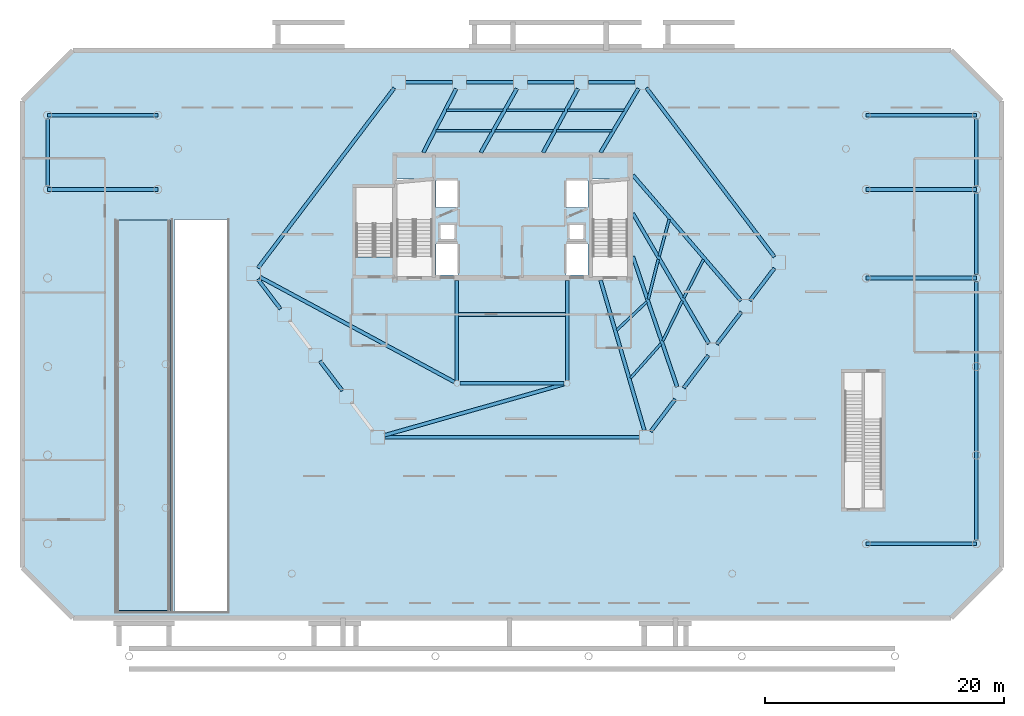
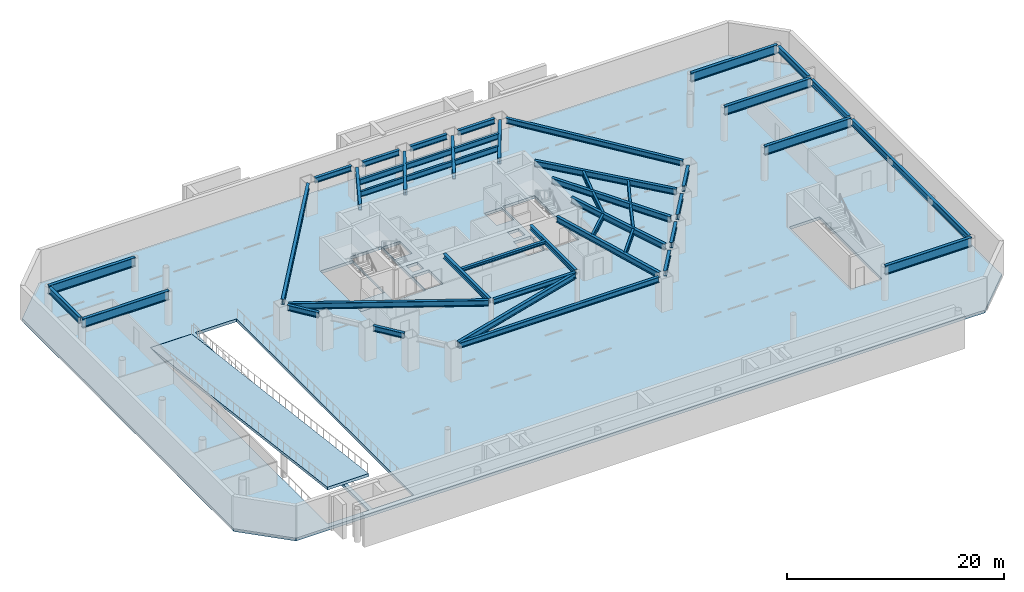
# One storey, part 5 of 15: 49 beams, 3 slabs.
"""IFC4 building model written with IfcOpenShell, lengths in metres."""

from ifc_helpers import new_model, si_unit, direction, frame, origin, origin_2d, place, context, subcontext, project, spatial, polyline, i_section, outline, extrude, material, layer, layer_set, material_profile, profile_set, type_object, element, save


model = new_model("IFC4")

# Units and contexts
model_context = context("Model", 3, precision=1e-05, world=origin(), true_north=direction((0.0, 1.0)))
body_context = subcontext(model_context, "Body", "Model", "MODEL_VIEW")
ifc_project = project(units=[si_unit("LENGTHUNIT", "METRE"), si_unit("AREAUNIT", "SQUARE_METRE"), si_unit("VOLUMEUNIT", "CUBIC_METRE"), si_unit("PLANEANGLEUNIT", "RADIAN"), si_unit("MASSUNIT", "GRAM", prefix="KILO")], contexts=[model_context])

# Site, building, storey
site_placement = place(None, origin())
site = spatial("IfcSite", under=ifc_project, at=site_placement, CompositionType="ELEMENT")
building_placement = place(site_placement, origin())
building = spatial("IfcBuilding", under=site, at=building_placement, Name="Zarrinselat Tower", CompositionType="ELEMENT")
storey_placement = place(building_placement, frame((0.0, 0.0, -4.080078125)))
storey = spatial("IfcBuildingStorey", under=building, at=storey_placement, Name="B01", CompositionType="ELEMENT", Elevation=-4.080078125)

# Beams
ifc_material_1 = material(Name="Steel S355J2", Category="steel")
ifc_material_profile_1 = material_profile(ifc_material_1, i_section(OverallWidth=0.300048828125, OverallDepth=0.35009765625, WebThickness=0.010009765625, FlangeThickness=0.017578125, at=origin_2d()), Name="HEA 360")
ifc_profile_set_1 = profile_set([ifc_material_profile_1], Name="Steel S355J2")
beam_type_1 = type_object("IfcBeamType", Name="BM-HEA360", PredefinedType="LINTEL", material=ifc_profile_set_1)
beam_1_placement = place(storey_placement, frame((33.93994140625, 30.14990234375, 3.5849609375), z_axis=(1.0, 0.0, 0.0), x_axis=(0.0, 1.0, 0.0)))
element("IfcBeam", 1, at=beam_1_placement, inside=storey, type_object=beam_type_1, Name="B01 Lift Lobby Ceiling Beam", PredefinedType="LINTEL", context=body_context, shape_type="SweptSolid", body=[
    extrude(i_section(OverallWidth=0.300048828125, OverallDepth=0.35009765625, WebThickness=0.010009765625, FlangeThickness=0.017578125, at=origin_2d()), origin(), (0.0, 0.0, 1.0), 8.920166015625),
])
ifc_material_2 = material(Name="Steel S355J2", Category="steel")
ifc_material_profile_2 = material_profile(ifc_material_2, i_section(OverallWidth=0.300048828125, OverallDepth=0.550048828125, WebThickness=0.014892578125, FlangeThickness=0.029052734375, at=origin_2d()), Name="HEB 550")
ifc_profile_set_2 = profile_set([ifc_material_profile_2], Name="Steel S355J2")
beam_type_2 = type_object("IfcBeamType", Name="BM-HEB550", PredefinedType="BEAM", material=ifc_profile_set_2)
beam_2_placement = place(storey_placement, frame((34.0400390625, 24.39990234375, 3.485107421875), z_axis=(1.0, 0.0, 0.0), x_axis=(0.0, 1.0, 0.0)))
element("IfcBeam", 2, at=beam_2_placement, inside=storey, type_object=beam_type_2, Name="B01 Atrium Edge Beam S", PredefinedType="BEAM", context=body_context, shape_type="SweptSolid", body=[
    extrude(i_section(OverallWidth=0.300048828125, OverallDepth=0.550048828125, WebThickness=0.014892578125, FlangeThickness=0.029052734375, at=origin_2d()), origin(), (0.0, 0.0, 1.0), 8.719970703125),
])
for number, where, z_axis, x_axis, name in (
    (3, (33.800048828125, 24.639892578125, 3.485107421875), (0.0, 1.0, 0.0), (-1.0, 0.0, 0.0), "B01 Atrium Edge Beam W"),
    (4, (43.0, 24.639892578125, 3.485107421875), (0.0, 1.0, 0.0), (-1.0, 0.0, 0.0), "B01 Atrium Edge Beam E"),
):
    element("IfcBeam", number, at=place(storey_placement, frame(where, z_axis=z_axis, x_axis=x_axis)), inside=storey, type_object=beam_type_2, Name=name, PredefinedType="BEAM", context=body_context, shape_type="SweptSolid", body=[
        extrude(i_section(OverallWidth=0.300048828125, OverallDepth=0.550048828125, WebThickness=0.014892578125, FlangeThickness=0.029052734375, at=origin_2d()), origin(), (0.0, 0.0, 1.0), 8.3701171875),
    ])
ifc_material_3 = material(Name="Steel S355J2", Category="steel")
ifc_material_profile_3 = material_profile(ifc_material_3, i_section(OverallWidth=0.300048828125, OverallDepth=0.60009765625, WebThickness=0.015380859375, FlangeThickness=0.030029296875, at=origin_2d()), Name="HEB 600")
ifc_profile_set_3 = profile_set([ifc_material_profile_3], Name="Steel S355J2")
beam_type_3 = type_object("IfcBeamType", Name="BM-HEB600", PredefinedType="BEAM", material=ifc_profile_set_3)
beam_3_placement = place(storey_placement, frame((44.776611328125, 49.550048828125, 3.4599609375), z_axis=(1.0, 0.0, 0.0), x_axis=(0.0, 1.0, 0.0)))
element("IfcBeam", 5, at=beam_3_placement, inside=storey, type_object=beam_type_3, Name="B01 Perimeter Spandrel Girder SP01", PredefinedType="BEAM", context=body_context, shape_type="SweptSolid", body=[
    extrude(i_section(OverallWidth=0.300048828125, OverallDepth=0.60009765625, WebThickness=0.015380859375, FlangeThickness=0.030029296875, at=origin_2d()), origin(), (0.0, 0.0, 1.0), 3.912353515625),
])
beam_4_placement = place(storey_placement, frame((39.68798828125, 49.550048828125, 3.4599609375), z_axis=(1.0, 0.0, 0.0), x_axis=(0.0, 1.0, 0.0)))
element("IfcBeam", 6, at=beam_4_placement, inside=storey, type_object=beam_type_3, Name="B01 Perimeter Spandrel Girder SP02", PredefinedType="BEAM", context=body_context, shape_type="SweptSolid", body=[
    extrude(i_section(OverallWidth=0.300048828125, OverallDepth=0.60009765625, WebThickness=0.015380859375, FlangeThickness=0.030029296875, at=origin_2d()), origin(), (0.0, 0.0, 1.0), 3.91259765625),
])
beam_5_placement = place(storey_placement, frame((34.599609375, 49.550048828125, 3.4599609375), z_axis=(1.0, 0.0, 0.0), x_axis=(0.0, 1.0, 0.0)))
element("IfcBeam", 7, at=beam_5_placement, inside=storey, type_object=beam_type_3, Name="B01 Perimeter Spandrel Girder SP03", PredefinedType="BEAM", context=body_context, shape_type="SweptSolid", body=[
    extrude(i_section(OverallWidth=0.300048828125, OverallDepth=0.60009765625, WebThickness=0.015380859375, FlangeThickness=0.030029296875, at=origin_2d()), origin(), (0.0, 0.0, 1.0), 3.912353515625),
])
beam_6_placement = place(storey_placement, frame((29.510986328125, 49.550048828125, 3.4599609375), z_axis=(1.0, 0.0, 0.0), x_axis=(0.0, 1.0, 0.0)))
element("IfcBeam", 8, at=beam_6_placement, inside=storey, type_object=beam_type_3, Name="B01 Perimeter Spandrel Girder SP04", PredefinedType="BEAM", context=body_context, shape_type="SweptSolid", body=[
    extrude(i_section(OverallWidth=0.300048828125, OverallDepth=0.60009765625, WebThickness=0.015380859375, FlangeThickness=0.030029296875, at=origin_2d()), origin(), (0.0, 0.0, 1.0), 3.91259765625),
])
beam_7_placement = place(storey_placement, frame((17.170654296875, 34.03662109375, 3.4599609375), z_axis=(0.603848722447, 0.797098940157, 0.0), x_axis=(-0.797098940157, 0.603848722447, 0.0)))
element("IfcBeam", 9, at=beam_7_placement, inside=storey, type_object=beam_type_3, Name="B01 Perimeter Spandrel Girder SP05", PredefinedType="BEAM", context=body_context, shape_type="SweptSolid", body=[
    extrude(i_section(OverallWidth=0.300048828125, OverallDepth=0.60009765625, WebThickness=0.015380859375, FlangeThickness=0.030029296875, at=origin_2d()), origin(), (0.0, 0.0, 1.0), 18.874267578125),
])
beam_8_placement = place(storey_placement, frame((17.170654296875, 33.099365234375, 3.4599609375), z_axis=(0.603821437922, -0.797119609033, 0.0), x_axis=(0.797119609033, 0.603821437922, 0.0)))
element("IfcBeam", 10, at=beam_8_placement, inside=storey, type_object=beam_type_3, Name="B01 Perimeter Spandrel Girder SP06", PredefinedType="BEAM", context=body_context, shape_type="SweptSolid", body=[
    extrude(i_section(OverallWidth=0.300048828125, OverallDepth=0.60009765625, WebThickness=0.015380859375, FlangeThickness=0.030029296875, at=origin_2d()), origin(), (0.0, 0.0, 1.0), 3.112060546875),
])
beam_9_placement = place(storey_placement, frame((22.349365234375, 26.26318359375, 3.4599609375), z_axis=(0.603859198483, -0.797091003843, 0.0), x_axis=(0.797091003843, 0.603859198483, 0.0)))
element("IfcBeam", 11, at=beam_9_placement, inside=storey, type_object=beam_type_3, Name="B01 Perimeter Spandrel Girder SP08", PredefinedType="BEAM", context=body_context, shape_type="SweptSolid", body=[
    extrude(i_section(OverallWidth=0.300048828125, OverallDepth=0.60009765625, WebThickness=0.015380859375, FlangeThickness=0.030029296875, at=origin_2d()), origin(), (0.0, 0.0, 1.0), 3.11181640625),
])
beam_10_placement = place(storey_placement, frame((27.760986328125, 19.89599609375, 3.4599609375), z_axis=(1.0, 0.0, 0.0), x_axis=(0.0, 1.0, 0.0)))
element("IfcBeam", 12, at=beam_10_placement, inside=storey, type_object=beam_type_3, Name="B01 Perimeter Spandrel Girder SP10", PredefinedType="BEAM", context=body_context, shape_type="SweptSolid", body=[
    extrude(i_section(OverallWidth=0.300048828125, OverallDepth=0.60009765625, WebThickness=0.015380859375, FlangeThickness=0.030029296875, at=origin_2d()), origin(), (0.0, 0.0, 1.0), 21.278076171875),
])
for number, where, z_axis, x_axis, name in (
    (13, (49.982177734375, 20.36474609375, 3.4599609375), (0.603839725389, 0.797105755871, 0.0), (-0.797105755871, 0.603839725389, 0.0), "B01 Perimeter Spandrel Girder SP11"),
    (14, (52.74658203125, 24.013671875, 3.4599609375), (0.603794123872, 0.797140298804, 0.0), (-0.797140298804, 0.603794123872, 0.0), "B01 Perimeter Spandrel Girder SP12"),
    (15, (55.5107421875, 27.66259765625, 3.4599609375), (0.603839725389, 0.797105755871, 0.0), (-0.797105755871, 0.603839725389, 0.0), "B01 Perimeter Spandrel Girder SP13"),
):
    element("IfcBeam", number, at=place(storey_placement, frame(where, z_axis=z_axis, x_axis=x_axis)), inside=storey, type_object=beam_type_3, Name=name, PredefinedType="BEAM", context=body_context, shape_type="SweptSolid", body=[
        extrude(i_section(OverallWidth=0.300048828125, OverallDepth=0.60009765625, WebThickness=0.015380859375, FlangeThickness=0.030029296875, at=origin_2d()), origin(), (0.0, 0.0, 1.0), 3.40185546875),
    ])
beam_11_placement = place(storey_placement, frame((58.275146484375, 31.311767578125, 3.4599609375), z_axis=(0.603874269539, 0.797079586107, 0.0), x_axis=(-0.797079586107, 0.603874269539, 0.0)))
element("IfcBeam", 16, at=beam_11_placement, inside=storey, type_object=beam_type_3, Name="B01 Perimeter Spandrel Girder SP14", PredefinedType="BEAM", context=body_context, shape_type="SweptSolid", body=[
    extrude(i_section(OverallWidth=0.300048828125, OverallDepth=0.60009765625, WebThickness=0.015380859375, FlangeThickness=0.030029296875, at=origin_2d()), origin(), (0.0, 0.0, 1.0), 3.401611328125),
])
beam_12_placement = place(storey_placement, frame((49.632080078125, 49.081298828125, 3.4599609375), z_axis=(0.603851850525, -0.797096570446, 0.0), x_axis=(0.797096570446, 0.603851850525, 0.0)))
element("IfcBeam", 17, at=beam_12_placement, inside=storey, type_object=beam_type_3, Name="B01 Perimeter Spandrel Girder SP15", PredefinedType="BEAM", context=body_context, shape_type="SweptSolid", body=[
    extrude(i_section(OverallWidth=0.300048828125, OverallDepth=0.60009765625, WebThickness=0.015380859375, FlangeThickness=0.030029296875, at=origin_2d()), origin(), (0.0, 0.0, 1.0), 17.715087890625),
])
ifc_material_4 = material(Name="Steel S355J2", Category="steel")
ifc_material_profile_4 = material_profile(ifc_material_4, i_section(OverallWidth=0.300048828125, OverallDepth=0.64990234375, WebThickness=0.01611328125, FlangeThickness=0.031005859375, at=origin_2d()), Name="HEB 650")
ifc_profile_set_4 = profile_set([ifc_material_profile_4], Name="Steel S355J2")
beam_type_4 = type_object("IfcBeamType", Name="BM-HEB650", PredefinedType="BEAM", material=ifc_profile_set_4)
beam_13_placement = place(storey_placement, frame((45.800048828125, 43.68994140625, 3.43505859375), z_axis=(0.510264490313, 0.860017528848, 0.0), x_axis=(-0.860017528848, 0.510264490313, 0.0)))
element("IfcBeam", 18, at=beam_13_placement, inside=storey, type_object=beam_type_4, Name="B01 Radial Primary Girder RG01", PredefinedType="BEAM", context=body_context, shape_type="SweptSolid", body=[
    extrude(i_section(OverallWidth=0.300048828125, OverallDepth=0.64990234375, WebThickness=0.01611328125, FlangeThickness=0.031005859375, at=origin_2d()), origin(), (0.0, 0.0, 1.0), 6.2119140625),
])
beam_14_placement = place(storey_placement, frame((41.0, 43.68994140625, 3.43505859375), z_axis=(0.477950024599, 0.878387029723, 0.0), x_axis=(-0.878387029723, 0.477950024599, 0.0)))
element("IfcBeam", 19, at=beam_14_placement, inside=storey, type_object=beam_type_4, Name="B01 Radial Primary Girder RG02", PredefinedType="BEAM", context=body_context, shape_type="SweptSolid", body=[
    extrude(i_section(OverallWidth=0.300048828125, OverallDepth=0.64990234375, WebThickness=0.01611328125, FlangeThickness=0.031005859375, at=origin_2d()), origin(), (0.0, 0.0, 1.0), 6.0693359375),
])
beam_15_placement = place(storey_placement, frame((35.800048828125, 43.68994140625, 3.43505859375), z_axis=(0.490688992251, 0.87133478806, 0.0), x_axis=(-0.87133478806, 0.490688992251, 0.0)))
element("IfcBeam", 20, at=beam_15_placement, inside=storey, type_object=beam_type_4, Name="B01 Radial Primary Girder RG03", PredefinedType="BEAM", context=body_context, shape_type="SweptSolid", body=[
    extrude(i_section(OverallWidth=0.300048828125, OverallDepth=0.64990234375, WebThickness=0.01611328125, FlangeThickness=0.031005859375, at=origin_2d()), origin(), (0.0, 0.0, 1.0), 6.123291015625),
])
beam_16_placement = place(storey_placement, frame((31.0, 43.68994140625, 3.43505859375), z_axis=(0.457071554936, 0.889429926227, 0.0), x_axis=(-0.889429926227, 0.457071554936, 0.0)))
element("IfcBeam", 21, at=beam_16_placement, inside=storey, type_object=beam_type_4, Name="B01 Radial Primary Girder RG04", PredefinedType="BEAM", context=body_context, shape_type="SweptSolid", body=[
    extrude(i_section(OverallWidth=0.300048828125, OverallDepth=0.64990234375, WebThickness=0.01611328125, FlangeThickness=0.031005859375, at=origin_2d()), origin(), (0.0, 0.0, 1.0), 5.986572265625),
])
beam_17_placement = place(storey_placement, frame((17.34521484375, 33.281982421875, 3.43505859375), z_axis=(0.879987931642, -0.474996042262, 0.0), x_axis=(0.474996042262, 0.879987931642, 0.0)))
element("IfcBeam", 22, at=beam_17_placement, inside=storey, type_object=beam_type_4, Name="B01 Radial Primary Girder RG06", PredefinedType="BEAM", context=body_context, shape_type="SweptSolid", body=[
    extrude(i_section(OverallWidth=0.300048828125, OverallDepth=0.64990234375, WebThickness=0.01611328125, FlangeThickness=0.031005859375, at=origin_2d()), origin(), (0.0, 0.0, 1.0), 18.448974609375),
])
beam_18_placement = place(storey_placement, frame((27.751953125, 20.060791015625, 3.43505859375), z_axis=(0.961813317546, 0.273706306451, 0.0), x_axis=(-0.273706306451, 0.961813317546, 0.0)))
element("IfcBeam", 23, at=beam_18_placement, inside=storey, type_object=beam_type_4, Name="B01 Radial Primary Girder RG10", PredefinedType="BEAM", context=body_context, shape_type="SweptSolid", body=[
    extrude(i_section(OverallWidth=0.300048828125, OverallDepth=0.64990234375, WebThickness=0.01611328125, FlangeThickness=0.031005859375, at=origin_2d()), origin(), (0.0, 0.0, 1.0), 15.603515625),
])
beam_19_placement = place(storey_placement, frame((45.800048828125, 33.010009765625, 3.43505859375), z_axis=(0.280146446872, -0.959957274208, 0.0), x_axis=(0.959957274208, 0.280146446872, 0.0)))
element("IfcBeam", 24, at=beam_19_placement, inside=storey, type_object=beam_type_4, Name="B01 Radial Primary Girder RG11", PredefinedType="BEAM", context=body_context, shape_type="SweptSolid", body=[
    extrude(i_section(OverallWidth=0.300048828125, OverallDepth=0.64990234375, WebThickness=0.01611328125, FlangeThickness=0.031005859375, at=origin_2d()), origin(), (0.0, 0.0, 1.0), 13.05908203125),
])
beam_20_placement = place(storey_placement, frame((48.5, 35.0, 3.43505859375), z_axis=(0.321657151758, -0.946856206994, 0.0), x_axis=(0.946856206994, 0.321657151758, 0.0)))
element("IfcBeam", 25, at=beam_20_placement, inside=storey, type_object=beam_type_4, Name="B01 Radial Primary Girder RG12", PredefinedType="BEAM", context=body_context, shape_type="SweptSolid", body=[
    extrude(i_section(OverallWidth=0.300048828125, OverallDepth=0.64990234375, WebThickness=0.01611328125, FlangeThickness=0.031005859375, at=origin_2d()), origin(), (0.0, 0.0, 1.0), 11.495849609375),
])
beam_21_placement = place(storey_placement, frame((48.5, 38.60009765625, 3.43505859375), z_axis=(0.50399747949, -0.863705123678, 0.0), x_axis=(0.863705123678, 0.50399747949, 0.0)))
element("IfcBeam", 26, at=beam_21_placement, inside=storey, type_object=beam_type_4, Name="B01 Radial Primary Girder RG13", PredefinedType="BEAM", context=body_context, shape_type="SweptSolid", body=[
    extrude(i_section(OverallWidth=0.300048828125, OverallDepth=0.64990234375, WebThickness=0.01611328125, FlangeThickness=0.031005859375, at=origin_2d()), origin(), (0.0, 0.0, 1.0), 12.603759765625),
])
beam_22_placement = place(storey_placement, frame((48.5, 41.800048828125, 3.43505859375), z_axis=(0.651921697531, -0.758286291771, 0.0), x_axis=(0.758286291771, 0.651921697531, 0.0)))
element("IfcBeam", 27, at=beam_22_placement, inside=storey, type_object=beam_type_4, Name="B01 Radial Primary Girder RG14", PredefinedType="BEAM", context=body_context, shape_type="SweptSolid", body=[
    extrude(i_section(OverallWidth=0.300048828125, OverallDepth=0.64990234375, WebThickness=0.01611328125, FlangeThickness=0.031005859375, at=origin_2d()), origin(), (0.0, 0.0, 1.0), 13.84765625),
])
ifc_material_5 = material(Name="Steel S355J2", Category="steel")
ifc_material_profile_5 = material_profile(ifc_material_5, i_section(OverallWidth=0.300048828125, OverallDepth=0.699951171875, WebThickness=0.01708984375, FlangeThickness=0.031982421875, at=origin_2d()), Name="HEB 700")
ifc_profile_set_5 = profile_set([ifc_material_profile_5], Name="Steel S355J2")
beam_type_5 = type_object("IfcBeamType", Name="BM-HEB700", PredefinedType="SPANDREL", material=ifc_profile_set_5)
beam_23_placement = place(storey_placement, frame((-0.39990234375, 40.89990234375, 3.41015625), z_axis=(0.0, 1.0, 0.0), x_axis=(-1.0, 0.0, 0.0)))
element("IfcBeam", 28, at=beam_23_placement, inside=storey, type_object=beam_type_5, Name="B01 Podium Perimeter Beam W-40", PredefinedType="SPANDREL", context=body_context, shape_type="SweptSolid", body=[
    extrude(i_section(OverallWidth=0.300048828125, OverallDepth=0.699951171875, WebThickness=0.01708984375, FlangeThickness=0.031982421875, at=origin_2d()), origin(), (0.0, 0.0, 1.0), 5.60009765625),
])
beam_24_placement = place(storey_placement, frame((77.199951171875, 11.300048828125, 3.41015625), z_axis=(0.0, 1.0, 0.0), x_axis=(-1.0, 0.0, 0.0)))
element("IfcBeam", 29, at=beam_24_placement, inside=storey, type_object=beam_type_5, Name="B01 Podium Perimeter Beam E-11", PredefinedType="SPANDREL", context=body_context, shape_type="SweptSolid", body=[
    extrude(i_section(OverallWidth=0.300048828125, OverallDepth=0.699951171875, WebThickness=0.01708984375, FlangeThickness=0.031982421875, at=origin_2d()), origin(), (0.0, 0.0, 1.0), 21.599853515625),
])
beam_25_placement = place(storey_placement, frame((77.199951171875, 33.5, 3.41015625), z_axis=(0.0, 1.0, 0.0), x_axis=(-1.0, 0.0, 0.0)))
element("IfcBeam", 30, at=beam_25_placement, inside=storey, type_object=beam_type_5, Name="B01 Podium Perimeter Beam E-33", PredefinedType="SPANDREL", context=body_context, shape_type="SweptSolid", body=[
    extrude(i_section(OverallWidth=0.300048828125, OverallDepth=0.699951171875, WebThickness=0.01708984375, FlangeThickness=0.031982421875, at=origin_2d()), origin(), (0.0, 0.0, 1.0), 6.800048828125),
])
beam_26_placement = place(storey_placement, frame((77.199951171875, 40.89990234375, 3.41015625), z_axis=(0.0, 1.0, 0.0), x_axis=(-1.0, 0.0, 0.0)))
element("IfcBeam", 31, at=beam_26_placement, inside=storey, type_object=beam_type_5, Name="B01 Podium Perimeter Beam E-40", PredefinedType="SPANDREL", context=body_context, shape_type="SweptSolid", body=[
    extrude(i_section(OverallWidth=0.300048828125, OverallDepth=0.699951171875, WebThickness=0.01708984375, FlangeThickness=0.031982421875, at=origin_2d()), origin(), (0.0, 0.0, 1.0), 5.60009765625),
])
ifc_material_6 = material(Name="Steel S355J2", Category="steel")
ifc_material_profile_6 = material_profile(ifc_material_6, i_section(OverallWidth=0.219970703125, OverallDepth=0.60009765625, WebThickness=0.011962890625, FlangeThickness=0.01904296875, at=origin_2d()), Name="IPE 600")
ifc_profile_set_6 = profile_set([ifc_material_profile_6], Name="Steel S355J2")
beam_type_6 = type_object("IfcBeamType", Name="BM-IPE600", PredefinedType="JOIST", material=ifc_profile_set_6)
beam_27_placement = place(storey_placement, frame((48.307373046875, 24.841064453125, 3.4599609375), z_axis=(0.662804736598, 0.748792281707, 0.0), x_axis=(-0.748792281707, 0.662804736598, 0.0)))
element("IfcBeam", 32, at=beam_27_placement, inside=storey, type_object=beam_type_6, Name="B01 Composite Floor Joist 3-1", PredefinedType="JOIST", context=body_context, shape_type="SweptSolid", body=[
    extrude(i_section(OverallWidth=0.219970703125, OverallDepth=0.60009765625, WebThickness=0.011962890625, FlangeThickness=0.01904296875, at=origin_2d()), origin(), (0.0, 0.0, 1.0), 3.8330078125),
])
beam_28_placement = place(storey_placement, frame((47.145751953125, 28.843505859375, 3.4599609375), z_axis=(0.728530747555, 0.685013101967, 0.0), x_axis=(-0.685013101967, 0.728530747555, 0.0)))
element("IfcBeam", 33, at=beam_28_placement, inside=storey, type_object=beam_type_6, Name="B01 Composite Floor Joist 3-2", PredefinedType="JOIST", context=body_context, shape_type="SweptSolid", body=[
    extrude(i_section(OverallWidth=0.219970703125, OverallDepth=0.60009765625, WebThickness=0.011962890625, FlangeThickness=0.01904296875, at=origin_2d()), origin(), (0.0, 0.0, 1.0), 3.444580078125),
])
beam_29_placement = place(storey_placement, frame((51.001708984375, 27.94189453125, 3.4599609375), z_axis=(0.437666353615, 0.899137454961, 0.0), x_axis=(-0.899137454961, 0.437666353615, 0.0)))
element("IfcBeam", 34, at=beam_29_placement, inside=storey, type_object=beam_type_6, Name="B01 Composite Floor Joist 4-1", PredefinedType="JOIST", context=body_context, shape_type="SweptSolid", body=[
    extrude(i_section(OverallWidth=0.219970703125, OverallDepth=0.60009765625, WebThickness=0.011962890625, FlangeThickness=0.01904296875, at=origin_2d()), origin(), (0.0, 0.0, 1.0), 3.722900390625),
])
beam_30_placement = place(storey_placement, frame((49.791259765625, 31.434814453125, 3.4599609375), z_axis=(0.243205254387, 0.96997484722, 0.0), x_axis=(-0.96997484722, 0.243205254387, 0.0)))
element("IfcBeam", 35, at=beam_30_placement, inside=storey, type_object=beam_type_6, Name="B01 Composite Floor Joist 4-2", PredefinedType="JOIST", context=body_context, shape_type="SweptSolid", body=[
    extrude(i_section(OverallWidth=0.219970703125, OverallDepth=0.60009765625, WebThickness=0.011962890625, FlangeThickness=0.01904296875, at=origin_2d()), origin(), (0.0, 0.0, 1.0), 3.43115234375),
])
beam_31_placement = place(storey_placement, frame((52.756103515625, 31.539794921875, 3.4599609375), z_axis=(0.455144518373, 0.890417580349, 0.0), x_axis=(-0.890417580349, 0.455144518373, 0.0)))
element("IfcBeam", 36, at=beam_31_placement, inside=storey, type_object=beam_type_6, Name="B01 Composite Floor Joist 5-1", PredefinedType="JOIST", context=body_context, shape_type="SweptSolid", body=[
    extrude(i_section(OverallWidth=0.219970703125, OverallDepth=0.60009765625, WebThickness=0.011962890625, FlangeThickness=0.01904296875, at=origin_2d()), origin(), (0.0, 0.0, 1.0), 3.599853515625),
])
beam_32_placement = place(storey_placement, frame((50.69677734375, 35.03369140625, 3.4599609375), z_axis=(0.26337130416, 0.964694540331, 0.0), x_axis=(-0.964694540331, 0.26337130416, 0.0)))
element("IfcBeam", 37, at=beam_32_placement, inside=storey, type_object=beam_type_6, Name="B01 Composite Floor Joist 5-2", PredefinedType="JOIST", context=body_context, shape_type="SweptSolid", body=[
    extrude(i_section(OverallWidth=0.219970703125, OverallDepth=0.60009765625, WebThickness=0.011962890625, FlangeThickness=0.01904296875, at=origin_2d()), origin(), (0.0, 0.0, 1.0), 3.173095703125),
])
beam_33_placement = place(storey_placement, frame((43.054443359375, 47.208740234375, 3.4599609375), z_axis=(0.999998864297, 0.00150711813, 0.0), x_axis=(-0.00150711813, 0.999998864297, 0.0)))
element("IfcBeam", 38, at=beam_33_placement, inside=storey, type_object=beam_type_6, Name="B01 Composite Floor Joist 7-1", PredefinedType="JOIST", context=body_context, shape_type="SweptSolid", body=[
    extrude(i_section(OverallWidth=0.219970703125, OverallDepth=0.60009765625, WebThickness=0.011962890625, FlangeThickness=0.01904296875, at=origin_2d()), origin(), (0.0, 0.0, 1.0), 4.69775390625),
])
beam_34_placement = place(storey_placement, frame((42.126220703125, 45.502685546875, 3.4599609375), z_axis=(0.999999684692, 0.000794112725, 0.0), x_axis=(-0.000794112725, 0.999999684692, 0.0)))
element("IfcBeam", 39, at=beam_34_placement, inside=storey, type_object=beam_type_6, Name="B01 Composite Floor Joist 7-2", PredefinedType="JOIST", context=body_context, shape_type="SweptSolid", body=[
    extrude(i_section(OverallWidth=0.219970703125, OverallDepth=0.60009765625, WebThickness=0.011962890625, FlangeThickness=0.01904296875, at=origin_2d()), origin(), (0.0, 0.0, 1.0), 4.611572265625),
])
beam_35_placement = place(storey_placement, frame((37.923095703125, 47.21142578125, 3.4599609375), z_axis=(0.99999984678, -0.000553570445, 0.0), x_axis=(0.000553570445, 0.99999984678, 0.0)))
element("IfcBeam", 40, at=beam_35_placement, inside=storey, type_object=beam_type_6, Name="B01 Composite Floor Joist 8-1", PredefinedType="JOIST", context=body_context, shape_type="SweptSolid", body=[
    extrude(i_section(OverallWidth=0.219970703125, OverallDepth=0.60009765625, WebThickness=0.011962890625, FlangeThickness=0.01904296875, at=origin_2d()), origin(), (0.0, 0.0, 1.0), 4.851318359375),
])
beam_36_placement = place(storey_placement, frame((36.961669921875, 45.50390625, 3.4599609375), z_axis=(0.999999968772, -0.000249912523, 0.0), x_axis=(0.000249912523, 0.999999968772, 0.0)))
element("IfcBeam", 41, at=beam_36_placement, inside=storey, type_object=beam_type_6, Name="B01 Composite Floor Joist 8-2", PredefinedType="JOIST", context=body_context, shape_type="SweptSolid", body=[
    extrude(i_section(OverallWidth=0.219970703125, OverallDepth=0.60009765625, WebThickness=0.011962890625, FlangeThickness=0.01904296875, at=origin_2d()), origin(), (0.0, 0.0, 1.0), 4.884521484375),
])
beam_37_placement = place(storey_placement, frame((32.946044921875, 47.204345703125, 3.4599609375), z_axis=(0.99999894094, 0.001455375557, 0.0), x_axis=(-0.001455375557, 0.99999894094, 0.0)))
element("IfcBeam", 42, at=beam_37_placement, inside=storey, type_object=beam_type_6, Name="B01 Composite Floor Joist 9-1", PredefinedType="JOIST", context=body_context, shape_type="SweptSolid", body=[
    extrude(i_section(OverallWidth=0.219970703125, OverallDepth=0.60009765625, WebThickness=0.011962890625, FlangeThickness=0.01904296875, at=origin_2d()), origin(), (0.0, 0.0, 1.0), 4.697021484375),
])
beam_38_placement = place(storey_placement, frame((32.0703125, 45.50048828125, 3.4599609375), z_axis=(0.999999725303, 0.000741211148, 0.0), x_axis=(-0.000741211148, 0.999999725303, 0.0)))
element("IfcBeam", 43, at=beam_38_placement, inside=storey, type_object=beam_type_6, Name="B01 Composite Floor Joist 9-2", PredefinedType="JOIST", context=body_context, shape_type="SweptSolid", body=[
    extrude(i_section(OverallWidth=0.219970703125, OverallDepth=0.60009765625, WebThickness=0.011962890625, FlangeThickness=0.01904296875, at=origin_2d()), origin(), (0.0, 0.0, 1.0), 4.611328125),
])
ifc_material_7 = material(Name="Steel S460M", Category="steel")
ifc_material_profile_7 = material_profile(ifc_material_7, i_section(OverallWidth=0.302001953125, OverallDepth=1.008056640625, WebThickness=0.02099609375, FlangeThickness=0.0400390625, at=origin_2d()), Name="HEM 1000")
ifc_profile_set_7 = profile_set([ifc_material_profile_7], Name="Steel S460M")
beam_type_7 = type_object("IfcBeamType", Name="BM-PDTR-HEM1000", PredefinedType="BEAM", material=ifc_profile_set_7)
for number, where, z_axis, x_axis, name in (
    (44, (-0.39990234375, 40.60009765625, 3.256103515625), (1.0, 0.0, 0.0), (0.0, 1.0, 0.0), "B01 Podium Transfer Girder W-40"),
    (45, (-0.39990234375, 46.800048828125, 3.256103515625), (1.0, 0.0, 0.0), (0.0, 1.0, 0.0), "B01 Podium Transfer Girder W-46"),
    (46, (68.0, 11.0, 3.256103515625), (1.0, 0.0, 0.0), (0.0, 1.0, 0.0), "B01 Podium Transfer Girder E-11"),
    (47, (68.0, 33.199951171875, 3.256103515625), (1.0, 0.0, 0.0), (0.0, 1.0, 0.0), "B01 Podium Transfer Girder E-33"),
    (48, (68.0, 40.60009765625, 3.256103515625), (1.0, 0.0, 0.0), (0.0, 1.0, 0.0), "B01 Podium Transfer Girder E-40"),
    (49, (68.0, 46.800048828125, 3.256103515625), (1.0, 0.0, 0.0), (0.0, 1.0, 0.0), "B01 Podium Transfer Girder E-46"),
):
    element("IfcBeam", number, at=place(storey_placement, frame(where, z_axis=z_axis, x_axis=x_axis)), inside=storey, type_object=beam_type_7, Name=name, PredefinedType="BEAM", context=body_context, shape_type="SweptSolid", body=[
        extrude(i_section(OverallWidth=0.302001953125, OverallDepth=1.008056640625, WebThickness=0.02099609375, FlangeThickness=0.0400390625, at=origin_2d()), origin(), (0.0, 0.0, 1.0), 9.199951171875),
    ])

# Slabs
ifc_material_8 = material(Name="Concrete C40/50", Category="concrete")
ifc_layer_1 = layer(ifc_material_8, 0.320068359375)
ifc_layer_set_1 = layer_set([ifc_layer_1], Name="Concrete C40/50")
slab_type_1 = type_object("IfcSlabType", Name="SLB-FLOOR-320-SL-PD320", PredefinedType="FLOOR", material=ifc_layer_set_1)
slab_1_placement = place(storey_placement, frame((0.0, 0.0, -0.31982421875)))
element("IfcSlab", 50, at=slab_1_placement, inside=storey, type_object=slab_type_1, Name="B01 Primary Structural Slab", PredefinedType="FLOOR", context=body_context, shape_type="SweptSolid", body=[
    extrude(outline(polyline([(1.699951171875, 4.800048828125), (75.10009765625, 4.800048828125), (79.300048828125, 9.0), (79.300048828125, 48.0), (75.10009765625, 52.199951171875), (1.699951171875, 52.199951171875), (-2.5, 48.0), (-2.5, 9.0), (1.699951171875, 4.800048828125)]), holes=[polyline([(9.805908203125, 5.35595703125), (5.39404296875, 5.35595703125), (5.39404296875, 38.0458984375), (9.805908203125, 38.0458984375), (9.805908203125, 5.35595703125)]), polyline([(10.194091796875, 5.39404296875), (10.194091796875, 38.083984375), (14.60595703125, 38.083984375), (14.60595703125, 5.39404296875), (10.194091796875, 5.39404296875)]), polyline([(32.06005859375, 33.449951171875), (32.06005859375, 36.050048828125), (33.89990234375, 36.050048828125), (33.89990234375, 33.449951171875), (32.06005859375, 33.449951171875)]), polyline([(28.594970703125, 40.875), (28.594970703125, 33.324951171875), (25.114990234375, 33.324951171875), (25.114990234375, 40.875), (28.594970703125, 40.875)]), polyline([(31.985107421875, 33.324951171875), (28.60498046875, 33.324951171875), (28.60498046875, 41.47509765625), (31.985107421875, 41.47509765625), (31.985107421875, 33.324951171875)]), polyline([(32.06005859375, 39.10009765625), (32.06005859375, 41.35009765625), (33.89990234375, 41.35009765625), (33.89990234375, 39.10009765625), (32.06005859375, 39.10009765625)]), polyline([(69.385009765625, 25.385009765625), (69.385009765625, 13.9150390625), (66.114990234375, 13.9150390625), (66.114990234375, 25.385009765625), (69.385009765625, 25.385009765625)]), polyline([(42.89990234375, 33.449951171875), (42.89990234375, 36.050048828125), (44.739990234375, 36.050048828125), (44.739990234375, 33.449951171875), (42.89990234375, 33.449951171875)]), polyline([(32.419921875, 36.47998046875), (32.419921875, 37.639892578125), (33.60009765625, 37.639892578125), (33.60009765625, 36.47998046875), (32.419921875, 36.47998046875)]), polyline([(44.3798828125, 36.47998046875), (43.199951171875, 36.47998046875), (43.199951171875, 37.639892578125), (44.3798828125, 37.639892578125), (44.3798828125, 36.47998046875)]), polyline([(48.324951171875, 33.324951171875), (44.875, 33.324951171875), (44.875, 41.47509765625), (48.324951171875, 41.47509765625), (48.324951171875, 33.324951171875)]), polyline([(42.89990234375, 39.10009765625), (42.89990234375, 41.35009765625), (44.739990234375, 41.35009765625), (44.739990234375, 39.10009765625), (42.89990234375, 39.10009765625)])]), origin(), (0.0, 0.0, 1.0), 0.31982421875),
])
slab_2_placement = place(storey_placement, frame((0.0, 0.0, -0.31982421875)))
element("IfcSlab", 51, at=slab_2_placement, inside=storey, type_object=slab_type_1, Name="B01 Stair ST-3-FL1 Structural Floor Landing", PredefinedType="FLOOR", context=body_context, shape_type="SweptSolid", body=[
    extrude(outline(polyline([(28.590087890625, 33.330078125), (28.590087890625, 34.949951171875), (25.1201171875, 34.949951171875), (25.1201171875, 33.330078125), (28.590087890625, 33.330078125)])), origin(), (0.0, 0.0, 1.0), 0.31982421875),
])
ifc_material_9 = material(Name="Concrete C40/50", Category="concrete")
ifc_layer_2 = layer(ifc_material_9, 0.300048828125)
ifc_layer_set_2 = layer_set([ifc_layer_2], Name="Concrete C40/50")
slab_type_2 = type_object("IfcSlabType", Name="SLB-VRAMP-300", PredefinedType="FLOOR", material=ifc_layer_set_2)
slab_3_placement = place(storey_placement, frame((5.39990234375, 38.0400390625, 0.0), z_axis=(0.0, 0.124036561544, 0.992277648343), x_axis=(1.0, 0.0, 0.0)))
element("IfcSlab", 52, at=slab_3_placement, inside=storey, type_object=slab_type_2, Name="B01 Ground Exit Car Park Vehicle Ramp Slab R2", PredefinedType="FLOOR", context=body_context, shape_type="SweptSolid", body=[
    extrude(outline(polyline([(0.0, 0.0), (4.400146484375, 0.0), (4.400146484375, -32.89415696631843), (0.0, -32.89415696631843), (0.0, 0.0)])), origin(), (0.0, 0.0, -1.0), 0.300048828125),
])

save(model, "model.ifc")
